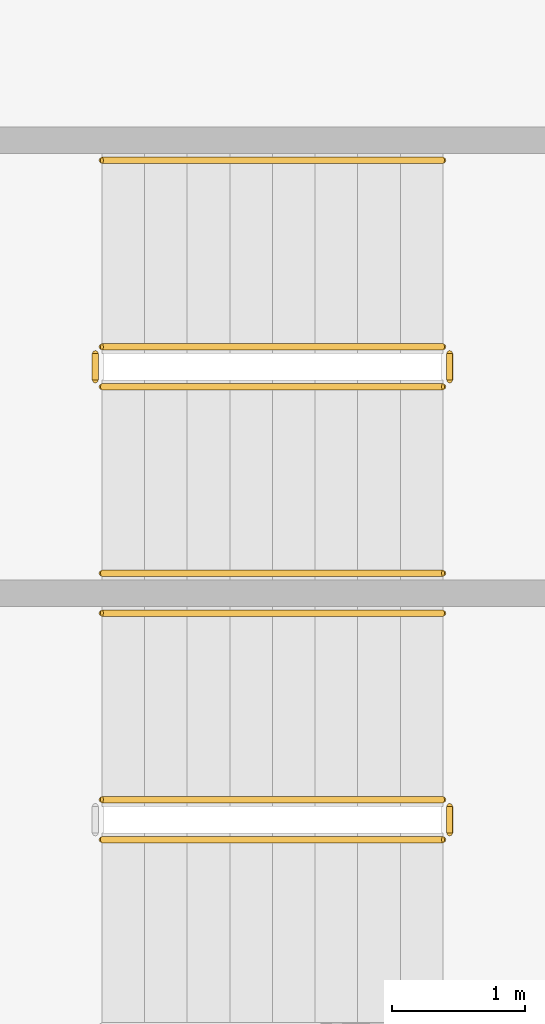
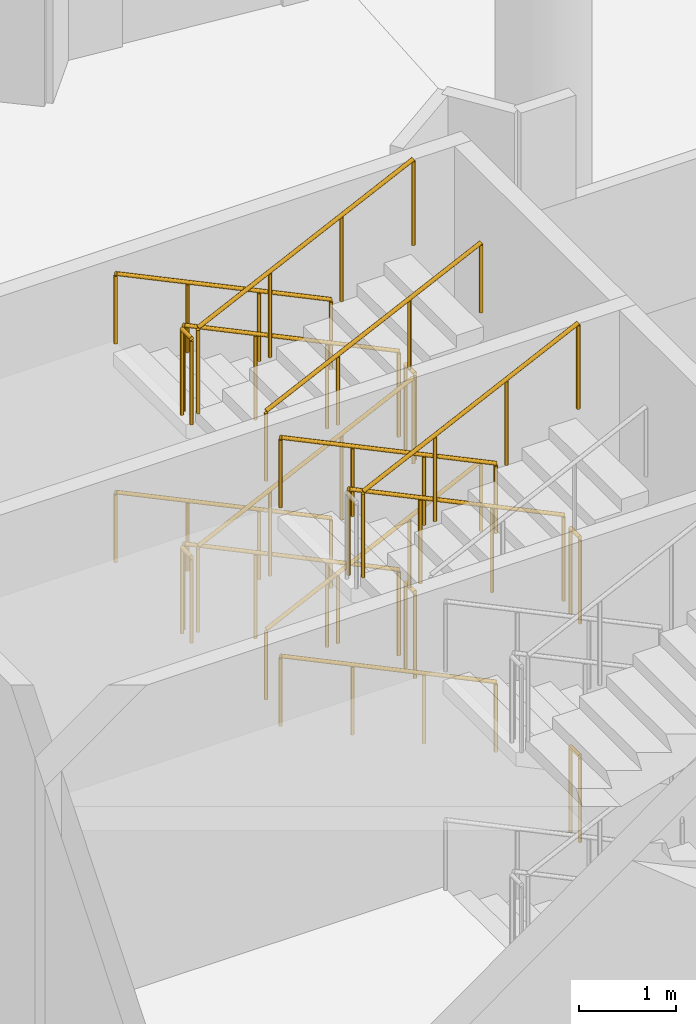
# One storey, part 250 of 271: 18 railings.
"""IFC4 building model written with IfcOpenShell, lengths in metres."""

from ifc_helpers import new_model, si_unit, direction, frame, origin, origin_2d, place, context, subcontext, project, spatial, circle, extrude, material, type_object, element, save


model = new_model("IFC4")

# Units and contexts
model_context = context("Model", 3, precision=1e-05, world=origin(), true_north=direction((0.0, 1.0)))
body_context = subcontext(model_context, "Body", "Model", "MODEL_VIEW")
ifc_project = project(units=[si_unit("LENGTHUNIT", "METRE"), si_unit("AREAUNIT", "SQUARE_METRE"), si_unit("VOLUMEUNIT", "CUBIC_METRE"), si_unit("PLANEANGLEUNIT", "RADIAN"), si_unit("MASSUNIT", "GRAM", prefix="KILO")], contexts=[model_context])

# Site, building, storey
site_placement = place(None, origin())
site = spatial("IfcSite", under=ifc_project, at=site_placement, CompositionType="ELEMENT")
building_placement = place(site_placement, origin())
building = spatial("IfcBuilding", under=site, at=building_placement, Name="Meseta Stadium", CompositionType="ELEMENT")
storey_placement = place(building_placement, frame((0.0, 0.0, 6.5)))
storey = spatial("IfcBuildingStorey", under=building, at=storey_placement, Name="L01", CompositionType="ELEMENT", Elevation=6.5)

# Railings
ifc_material_1 = material(Name="Steel S355", Category="steel")
railing_type_1 = type_object("IfcRailingType", Name="Stair guard 1100", PredefinedType="GUARDRAIL", material=ifc_material_1)
railing_1_placement = place(storey_placement, frame((-90.300048828125, 36.5, 0.15283203125)))
element("IfcRailing", 1, at=railing_1_placement, inside=storey, type_object=railing_type_1, Name="ST61 L01 guard 1", PredefinedType="GUARDRAIL", context=body_context, shape_type="SweptSolid", body=[
    extrude(circle(Radius=0.02392578125, at=origin_2d()), frame((0.0, 0.0, 1.076171875), z_axis=(-0.902436934422, 0.0, 0.430821981091), x_axis=(0.0, -1.0, 0.0)), (0.0, 0.0, 1.0), 2.8369140625),
    extrude(circle(Radius=0.02099609375, at=origin_2d()), origin(), (0.0, 0.0, 1.0), 1.052001953125),
    extrude(circle(Radius=0.02099609375, at=origin_2d()), frame((-0.853271484375, 0.0, 0.407470703125)), (0.0, 0.0, 1.0), 1.052001953125),
    extrude(circle(Radius=0.02099609375, at=origin_2d()), frame((-1.706787109375, 0.0, 0.814697265625)), (0.0, 0.0, 1.0), 1.052001953125),
    extrude(circle(Radius=0.02099609375, at=origin_2d()), frame((-2.56005859375, 0.0, 1.22216796875)), (0.0, 0.0, 1.0), 1.052001953125),
])
railing_2_placement = place(storey_placement, frame((-92.909912109375, 36.449951171875, 1.375)))
element("IfcRailing", 2, at=railing_2_placement, inside=storey, type_object=railing_type_1, Name="ST61 L01 guard 2", PredefinedType="GUARDRAIL", context=body_context, shape_type="SweptSolid", body=[
    extrude(circle(Radius=0.02392578125, at=origin_2d()), frame((0.0, 0.0, 1.076171875), z_axis=(0.0, -1.0, 0.0), x_axis=(1.0, 0.0, 0.0)), (0.0, 0.0, 1.0), 0.199951171875),
    extrude(circle(Radius=0.02099609375, at=origin_2d()), origin(), (0.0, 0.0, 1.0), 1.052001953125),
    extrude(circle(Radius=0.02099609375, at=origin_2d()), frame((0.0, -0.199951171875, 0.0)), (0.0, 0.0, 1.0), 1.052001953125),
])
railing_3_placement = place(storey_placement, frame((-92.860107421875, 36.199951171875, 1.52783203125)))
element("IfcRailing", 3, at=railing_3_placement, inside=storey, type_object=railing_type_1, Name="ST61 L01 guard 3", PredefinedType="GUARDRAIL", context=body_context, shape_type="SweptSolid", body=[
    extrude(circle(Radius=0.02392578125, at=origin_2d()), frame((0.0, 0.0, 1.076171875), z_axis=(0.902436934422, 0.0, 0.430821981091), x_axis=(0.0, 1.0, 0.0)), (0.0, 0.0, 1.0), 2.8369140625),
    extrude(circle(Radius=0.02099609375, at=origin_2d()), origin(), (0.0, 0.0, 1.0), 1.052001953125),
    extrude(circle(Radius=0.02099609375, at=origin_2d()), frame((0.853271484375, 0.0, 0.407470703125)), (0.0, 0.0, 1.0), 1.052001953125),
    extrude(circle(Radius=0.02099609375, at=origin_2d()), frame((1.706787109375, 0.0, 0.814697265625)), (0.0, 0.0, 1.0), 1.052001953125),
    extrude(circle(Radius=0.02099609375, at=origin_2d()), frame((2.56005859375, 0.0, 1.22216796875)), (0.0, 0.0, 1.0), 1.052001953125),
])
railing_4_placement = place(storey_placement, frame((-90.25, 36.449951171875, 2.75)))
element("IfcRailing", 4, at=railing_4_placement, inside=storey, type_object=railing_type_1, Name="ST61 L01 guard 4", PredefinedType="GUARDRAIL", context=body_context, shape_type="SweptSolid", body=[
    extrude(circle(Radius=0.02392578125, at=origin_2d()), frame((0.0, 0.0, 1.076171875), z_axis=(0.0, -1.0, 0.0), x_axis=(1.0, 0.0, 0.0)), (0.0, 0.0, 1.0), 0.199951171875),
    extrude(circle(Radius=0.02099609375, at=origin_2d()), origin(), (0.0, 0.0, 1.0), 1.052001953125),
    extrude(circle(Radius=0.02099609375, at=origin_2d()), frame((0.0, -0.199951171875, 0.0)), (0.0, 0.0, 1.0), 1.052001953125),
])
railing_5_placement = place(storey_placement, frame((-90.300048828125, 36.5, 2.90283203125)))
element("IfcRailing", 5, at=railing_5_placement, inside=storey, type_object=railing_type_1, Name="ST61 L01 guard 5", PredefinedType="GUARDRAIL", context=body_context, shape_type="SweptSolid", body=[
    extrude(circle(Radius=0.02392578125, at=origin_2d()), frame((0.0, 0.0, 1.076171875), z_axis=(-0.902436934422, 0.0, 0.430821981091), x_axis=(0.0, -1.0, 0.0)), (0.0, 0.0, 1.0), 2.8369140625),
    extrude(circle(Radius=0.02099609375, at=origin_2d()), origin(), (0.0, 0.0, 1.0), 1.052001953125),
    extrude(circle(Radius=0.02099609375, at=origin_2d()), frame((-0.853271484375, 0.0, 0.407470703125)), (0.0, 0.0, 1.0), 1.052001953125),
    extrude(circle(Radius=0.02099609375, at=origin_2d()), frame((-1.706787109375, 0.0, 0.814697265625)), (0.0, 0.0, 1.0), 1.052001953125),
    extrude(circle(Radius=0.02099609375, at=origin_2d()), frame((-2.56005859375, 0.0, 1.22216796875)), (0.0, 0.0, 1.0), 1.052001953125),
])
railing_6_placement = place(storey_placement, frame((-92.909912109375, 36.449951171875, 4.125)))
element("IfcRailing", 6, at=railing_6_placement, inside=storey, type_object=railing_type_1, Name="ST61 L01 guard 6", PredefinedType="GUARDRAIL", context=body_context, shape_type="SweptSolid", body=[
    extrude(circle(Radius=0.02392578125, at=origin_2d()), frame((0.0, 0.0, 1.076171875), z_axis=(0.0, -1.0, 0.0), x_axis=(1.0, 0.0, 0.0)), (0.0, 0.0, 1.0), 0.199951171875),
    extrude(circle(Radius=0.02099609375, at=origin_2d()), origin(), (0.0, 0.0, 1.0), 1.052001953125),
    extrude(circle(Radius=0.02099609375, at=origin_2d()), frame((0.0, -0.199951171875, 0.0)), (0.0, 0.0, 1.0), 1.052001953125),
])
railing_7_placement = place(storey_placement, frame((-92.860107421875, 36.199951171875, 4.27783203125)))
element("IfcRailing", 7, at=railing_7_placement, inside=storey, type_object=railing_type_1, Name="ST61 L01 guard 7", PredefinedType="GUARDRAIL", context=body_context, shape_type="SweptSolid", body=[
    extrude(circle(Radius=0.02392578125, at=origin_2d()), frame((0.0, 0.0, 1.076171875), z_axis=(0.902436934422, 0.0, 0.430821981091), x_axis=(0.0, 1.0, 0.0)), (0.0, 0.0, 1.0), 2.8369140625),
    extrude(circle(Radius=0.02099609375, at=origin_2d()), origin(), (0.0, 0.0, 1.0), 1.052001953125),
    extrude(circle(Radius=0.02099609375, at=origin_2d()), frame((0.853271484375, 0.0, 0.407470703125)), (0.0, 0.0, 1.0), 1.052001953125),
    extrude(circle(Radius=0.02099609375, at=origin_2d()), frame((1.706787109375, 0.0, 0.814697265625)), (0.0, 0.0, 1.0), 1.052001953125),
    extrude(circle(Radius=0.02099609375, at=origin_2d()), frame((2.56005859375, 0.0, 1.22216796875)), (0.0, 0.0, 1.0), 1.052001953125),
])
for number, where, name in (
    (8, (-90.25, 36.449951171875, 0.0), "ST61 L01 guard 8"),
    (9, (-90.25, 33.050048828125, 2.75), "ST62 L01 guard 4"),
):
    element("IfcRailing", number, at=place(storey_placement, frame(where)), inside=storey, type_object=railing_type_1, Name=name, PredefinedType="GUARDRAIL", context=body_context, shape_type="SweptSolid", body=[
        extrude(circle(Radius=0.02392578125, at=origin_2d()), frame((0.0, 0.0, 1.076171875), z_axis=(0.0, -1.0, 0.0), x_axis=(1.0, 0.0, 0.0)), (0.0, 0.0, 1.0), 0.199951171875),
        extrude(circle(Radius=0.02099609375, at=origin_2d()), origin(), (0.0, 0.0, 1.0), 1.052001953125),
        extrude(circle(Radius=0.02099609375, at=origin_2d()), frame((0.0, -0.199951171875, 0.0)), (0.0, 0.0, 1.0), 1.052001953125),
    ])
railing_8_placement = place(storey_placement, frame((-90.300048828125, 33.10009765625, 2.90283203125)))
element("IfcRailing", 10, at=railing_8_placement, inside=storey, type_object=railing_type_1, Name="ST62 L01 guard 5", PredefinedType="GUARDRAIL", context=body_context, shape_type="SweptSolid", body=[
    extrude(circle(Radius=0.02392578125, at=origin_2d()), frame((0.0, 0.0, 1.076171875), z_axis=(-0.902436934422, 0.0, 0.430821981091), x_axis=(0.0, -1.0, 0.0)), (0.0, 0.0, 1.0), 2.8369140625),
    extrude(circle(Radius=0.02099609375, at=origin_2d()), origin(), (0.0, 0.0, 1.0), 1.052001953125),
    extrude(circle(Radius=0.02099609375, at=origin_2d()), frame((-0.853271484375, 0.0, 0.407470703125)), (0.0, 0.0, 1.0), 1.052001953125),
    extrude(circle(Radius=0.02099609375, at=origin_2d()), frame((-1.706787109375, 0.0, 0.814697265625)), (0.0, 0.0, 1.0), 1.052001953125),
    extrude(circle(Radius=0.02099609375, at=origin_2d()), frame((-2.56005859375, 0.0, 1.22216796875)), (0.0, 0.0, 1.0), 1.052001953125),
])
railing_9_placement = place(storey_placement, frame((-92.860107421875, 32.800048828125, 4.27783203125)))
element("IfcRailing", 11, at=railing_9_placement, inside=storey, type_object=railing_type_1, Name="ST62 L01 guard 7", PredefinedType="GUARDRAIL", context=body_context, shape_type="SweptSolid", body=[
    extrude(circle(Radius=0.02392578125, at=origin_2d()), frame((0.0, 0.0, 1.076171875), z_axis=(0.902436934422, 0.0, 0.430821981091), x_axis=(0.0, 1.0, 0.0)), (0.0, 0.0, 1.0), 2.8369140625),
    extrude(circle(Radius=0.02099609375, at=origin_2d()), origin(), (0.0, 0.0, 1.0), 1.052001953125),
    extrude(circle(Radius=0.02099609375, at=origin_2d()), frame((0.853271484375, 0.0, 0.407470703125)), (0.0, 0.0, 1.0), 1.052001953125),
    extrude(circle(Radius=0.02099609375, at=origin_2d()), frame((1.706787109375, 0.0, 0.814697265625)), (0.0, 0.0, 1.0), 1.052001953125),
    extrude(circle(Radius=0.02099609375, at=origin_2d()), frame((2.56005859375, 0.0, 1.22216796875)), (0.0, 0.0, 1.0), 1.052001953125),
])
railing_10_placement = place(storey_placement, frame((-90.25, 33.050048828125, 0.0)))
element("IfcRailing", 12, at=railing_10_placement, inside=storey, type_object=railing_type_1, Name="ST62 L01 guard 8", PredefinedType="GUARDRAIL", context=body_context, shape_type="SweptSolid", body=[
    extrude(circle(Radius=0.02392578125, at=origin_2d()), frame((0.0, 0.0, 1.076171875), z_axis=(0.0, -1.0, 0.0), x_axis=(1.0, 0.0, 0.0)), (0.0, 0.0, 1.0), 0.199951171875),
    extrude(circle(Radius=0.02099609375, at=origin_2d()), origin(), (0.0, 0.0, 1.0), 1.052001953125),
    extrude(circle(Radius=0.02099609375, at=origin_2d()), frame((0.0, -0.199951171875, 0.0)), (0.0, 0.0, 1.0), 1.052001953125),
])
ifc_material_2 = material(Name="Steel S355", Category="steel")
railing_type_2 = type_object("IfcRailingType", Name="Stair handrail 900", PredefinedType="HANDRAIL", material=ifc_material_2)
railing_11_placement = place(storey_placement, frame((-90.300048828125, 37.89990234375, 0.15283203125)))
element("IfcRailing", 13, at=railing_11_placement, inside=storey, type_object=railing_type_2, Name="ST61 L01 handrail 1", PredefinedType="HANDRAIL", context=body_context, shape_type="SweptSolid", body=[
    extrude(circle(Radius=0.02392578125, at=origin_2d()), frame((0.0, 0.0, 0.8759765625), z_axis=(-0.902436934422, 0.0, 0.430821981091), x_axis=(0.0, -1.0, 0.0)), (0.0, 0.0, 1.0), 2.8369140625),
    extrude(circle(Radius=0.02099609375, at=origin_2d()), origin(), (0.0, 0.0, 1.0), 0.851806640625),
    extrude(circle(Radius=0.02099609375, at=origin_2d()), frame((-0.853271484375, 0.0, 0.407470703125)), (0.0, 0.0, 1.0), 0.851806640625),
    extrude(circle(Radius=0.02099609375, at=origin_2d()), frame((-1.706787109375, 0.0, 0.814697265625)), (0.0, 0.0, 1.0), 0.851806640625),
    extrude(circle(Radius=0.02099609375, at=origin_2d()), frame((-2.56005859375, 0.0, 1.22216796875)), (0.0, 0.0, 1.0), 0.851806640625),
])
railing_12_placement = place(storey_placement, frame((-92.860107421875, 34.800048828125, 1.52783203125)))
element("IfcRailing", 14, at=railing_12_placement, inside=storey, type_object=railing_type_2, Name="ST61 L01 handrail 2", PredefinedType="HANDRAIL", context=body_context, shape_type="SweptSolid", body=[
    extrude(circle(Radius=0.02392578125, at=origin_2d()), frame((0.0, 0.0, 0.8759765625), z_axis=(0.902436934422, 0.0, 0.430821981091), x_axis=(0.0, 1.0, 0.0)), (0.0, 0.0, 1.0), 2.8369140625),
    extrude(circle(Radius=0.02099609375, at=origin_2d()), origin(), (0.0, 0.0, 1.0), 0.851806640625),
    extrude(circle(Radius=0.02099609375, at=origin_2d()), frame((0.853271484375, 0.0, 0.407470703125)), (0.0, 0.0, 1.0), 0.851806640625),
    extrude(circle(Radius=0.02099609375, at=origin_2d()), frame((1.706787109375, 0.0, 0.814697265625)), (0.0, 0.0, 1.0), 0.851806640625),
    extrude(circle(Radius=0.02099609375, at=origin_2d()), frame((2.56005859375, 0.0, 1.22216796875)), (0.0, 0.0, 1.0), 0.851806640625),
])
railing_13_placement = place(storey_placement, frame((-90.300048828125, 37.89990234375, 2.90283203125)))
element("IfcRailing", 15, at=railing_13_placement, inside=storey, type_object=railing_type_2, Name="ST61 L01 handrail 3", PredefinedType="HANDRAIL", context=body_context, shape_type="SweptSolid", body=[
    extrude(circle(Radius=0.02392578125, at=origin_2d()), frame((0.0, 0.0, 0.8759765625), z_axis=(-0.902436934422, 0.0, 0.430821981091), x_axis=(0.0, -1.0, 0.0)), (0.0, 0.0, 1.0), 2.8369140625),
    extrude(circle(Radius=0.02099609375, at=origin_2d()), origin(), (0.0, 0.0, 1.0), 0.851806640625),
    extrude(circle(Radius=0.02099609375, at=origin_2d()), frame((-0.853271484375, 0.0, 0.407470703125)), (0.0, 0.0, 1.0), 0.851806640625),
    extrude(circle(Radius=0.02099609375, at=origin_2d()), frame((-1.706787109375, 0.0, 0.814697265625)), (0.0, 0.0, 1.0), 0.851806640625),
    extrude(circle(Radius=0.02099609375, at=origin_2d()), frame((-2.56005859375, 0.0, 1.22216796875)), (0.0, 0.0, 1.0), 0.851806640625),
])
railing_14_placement = place(storey_placement, frame((-92.860107421875, 34.800048828125, 4.27783203125)))
element("IfcRailing", 16, at=railing_14_placement, inside=storey, type_object=railing_type_2, Name="ST61 L01 handrail 4", PredefinedType="HANDRAIL", context=body_context, shape_type="SweptSolid", body=[
    extrude(circle(Radius=0.02392578125, at=origin_2d()), frame((0.0, 0.0, 0.8759765625), z_axis=(0.902436934422, 0.0, 0.430821981091), x_axis=(0.0, 1.0, 0.0)), (0.0, 0.0, 1.0), 2.8369140625),
    extrude(circle(Radius=0.02099609375, at=origin_2d()), origin(), (0.0, 0.0, 1.0), 0.851806640625),
    extrude(circle(Radius=0.02099609375, at=origin_2d()), frame((0.853271484375, 0.0, 0.407470703125)), (0.0, 0.0, 1.0), 0.851806640625),
    extrude(circle(Radius=0.02099609375, at=origin_2d()), frame((1.706787109375, 0.0, 0.814697265625)), (0.0, 0.0, 1.0), 0.851806640625),
    extrude(circle(Radius=0.02099609375, at=origin_2d()), frame((2.56005859375, 0.0, 1.22216796875)), (0.0, 0.0, 1.0), 0.851806640625),
])
for number, where, name in (
    (17, (-90.300048828125, 34.5, 0.15283203125), "ST62 L01 handrail 1"),
    (18, (-90.300048828125, 34.5, 2.90283203125), "ST62 L01 handrail 3"),
):
    element("IfcRailing", number, at=place(storey_placement, frame(where)), inside=storey, type_object=railing_type_2, Name=name, PredefinedType="HANDRAIL", context=body_context, shape_type="SweptSolid", body=[
        extrude(circle(Radius=0.02392578125, at=origin_2d()), frame((0.0, 0.0, 0.8759765625), z_axis=(-0.902436934422, 0.0, 0.430821981091), x_axis=(0.0, -1.0, 0.0)), (0.0, 0.0, 1.0), 2.8369140625),
        extrude(circle(Radius=0.02099609375, at=origin_2d()), origin(), (0.0, 0.0, 1.0), 0.851806640625),
        extrude(circle(Radius=0.02099609375, at=origin_2d()), frame((-0.853271484375, 0.0, 0.407470703125)), (0.0, 0.0, 1.0), 0.851806640625),
        extrude(circle(Radius=0.02099609375, at=origin_2d()), frame((-1.706787109375, 0.0, 0.814697265625)), (0.0, 0.0, 1.0), 0.851806640625),
        extrude(circle(Radius=0.02099609375, at=origin_2d()), frame((-2.56005859375, 0.0, 1.22216796875)), (0.0, 0.0, 1.0), 0.851806640625),
    ])

save(model, "model.ifc")
